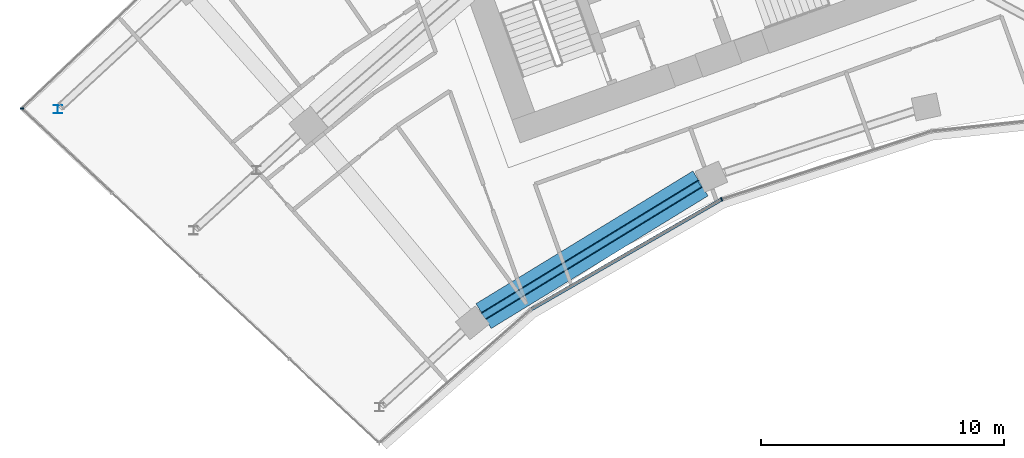
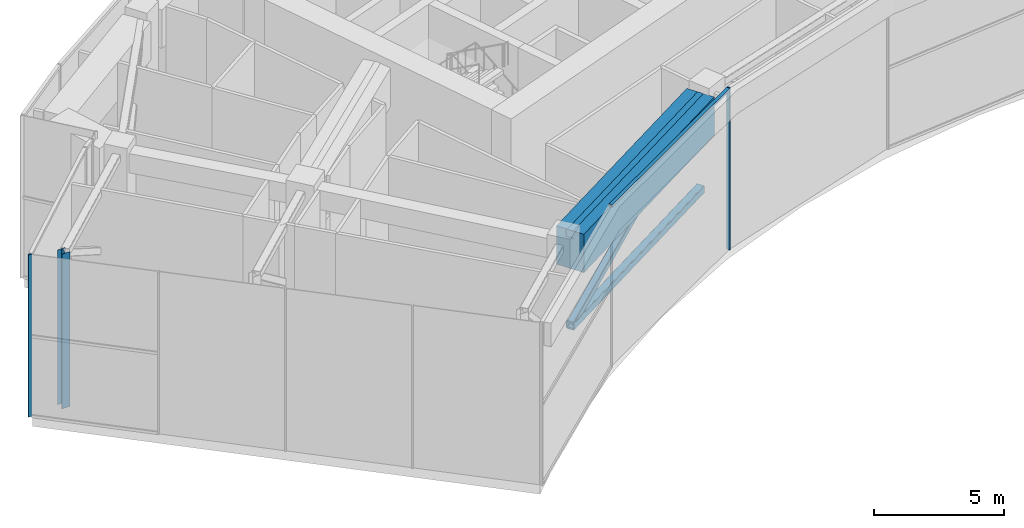
# One storey, part 3 of 26: 7 members, 1 beam, 2 elements without a shape of their own.
"""IFC4 building model written with IfcOpenShell, lengths in metres."""

import ifcopenshell
import ifcopenshell.guid

model = None  # the IFC model being written
_history = None  # IfcOwnerHistory: only IFC2X3 demands one
_inside = {}  # id of a spatial element -> (the spatial element, [elements in it])
_under = {}  # id of a project, library or spatial element -> (it, [spatial elements below it])
_declared = {}  # id of a project -> (the project, [libraries it declares])
_typed = {}  # id of a type object -> (the type object, [elements of that type])
_made_of = {}  # id of a material, layer set ... -> (it, [elements and type objects made of it])


def new_model(schema):
    """Start an empty IFC model of exactly this schema.

    Asked for "IFC4X3", IfcOpenShell would pick the latest addendum, in which some entities
    have other attributes; the version numbers below select the first issue.
    IFC2X3 requires an IfcOwnerHistory on every rooted entity: one is made here for all.
    """
    global model, _history
    if schema == "IFC4X3":
        model = ifcopenshell.file(schema_version=(4, 3, 0, 0))
    else:
        model = ifcopenshell.file(schema=schema)
    _inside.clear()
    _under.clear()
    _declared.clear()
    _typed.clear()
    _made_of.clear()
    _history = None
    if model.schema == "IFC2X3":
        org = make("IfcOrganization", Name="unknown")
        user = make(
            "IfcPersonAndOrganization",
            ThePerson=make("IfcPerson", FamilyName="unknown"),
            TheOrganization=org,
        )
        app = make(
            "IfcApplication",
            ApplicationDeveloper=org,
            Version="unknown",
            ApplicationFullName="unknown",
            ApplicationIdentifier="unknown",
        )
        _history = make(
            "IfcOwnerHistory",
            OwningUser=user,
            OwningApplication=app,
            ChangeAction="ADDED",
            CreationDate=0,
        )
    return model


def make(cls, **values):
    """One entity of the class cls with the attributes given. An attribute that is None is left unset."""
    return model.create_entity(
        cls, **{name: value for name, value in values.items() if value is not None}
    )


def rooted(cls, **values):
    """An entity with a GlobalId (a new one), such as an element, a storey or a relation."""
    return make(cls, GlobalId=ifcopenshell.guid.new(), OwnerHistory=_history, **values)


def si_unit(unit_type, name, prefix=None):
    """IfcSIUnit, for example si_unit("LENGTHUNIT", "METRE", prefix="MILLI")."""
    return make("IfcSIUnit", UnitType=unit_type, Prefix=prefix, Name=name)


def assignment(units):
    """IfcUnitAssignment: the units of a project."""
    return None if units is None else make("IfcUnitAssignment", Units=units)


def point(xyz):
    """IfcCartesianPoint."""
    return None if xyz is None else make("IfcCartesianPoint", Coordinates=xyz)


def direction(xyz):
    """IfcDirection."""
    return None if xyz is None else make("IfcDirection", DirectionRatios=xyz)


def frame(location, z_axis=None, x_axis=None):
    """IfcAxis2Placement3D, a coordinate frame: its origin and axes. An axis left out is left unset."""
    return make(
        "IfcAxis2Placement3D",
        Location=point(location),
        Axis=direction(z_axis),
        RefDirection=direction(x_axis),
    )


def frame_2d(location, x_axis=None):
    """IfcAxis2Placement2D, a coordinate frame in the plane: its origin and x axis."""
    return make(
        "IfcAxis2Placement2D", Location=point(location), RefDirection=direction(x_axis)
    )


def origin():
    """The frame at (0, 0, 0) with its axes left unset."""
    return frame((0.0, 0.0, 0.0))


def origin_2d():
    """The frame at (0, 0) in the plane with its x axis left unset."""
    return frame_2d((0.0, 0.0))


def place(relative_to, where):
    """IfcLocalPlacement: puts the frame where relative to a parent placement (None: the world)."""
    return make(
        "IfcLocalPlacement", PlacementRelTo=relative_to, RelativePlacement=where
    )


def context(
    kind, dimensions, precision=None, world=None, true_north=None, identifier=None
):
    """IfcGeometricRepresentationContext, for example the 3D "Model" context."""
    return make(
        "IfcGeometricRepresentationContext",
        ContextIdentifier=identifier,
        ContextType=kind,
        CoordinateSpaceDimension=dimensions,
        Precision=precision,
        WorldCoordinateSystem=world,
        TrueNorth=true_north,
    )


def subcontext(parent, identifier, kind, view, scale=None):
    """IfcGeometricRepresentationSubContext, for example "Body" below "Model"."""
    return make(
        "IfcGeometricRepresentationSubContext",
        ContextIdentifier=identifier,
        ContextType=kind,
        ParentContext=parent,
        TargetScale=scale,
        TargetView=view,
    )


def project(units=None, contexts=None):
    """IfcProject with its units and contexts."""
    return rooted(
        "IfcProject",
        Name="project",
        RepresentationContexts=contexts,
        UnitsInContext=assignment(units),
    )


def spatial(cls, under=None, at=None, **own):
    """A site, building, storey or space (cls), placed at a placement, below another one or the project."""
    s = rooted(cls, ObjectPlacement=at, **own)
    if under is not None:
        _under.setdefault(under.id(), (under, []))[1].append(s)
    return s


def profile(cls, at=None, kind="AREA", **sizes):
    """A parametric profile (cls). Its sizes go by their IFC names, for example OverallWidth=200.0."""
    return make(cls, ProfileType=kind, Position=at, **sizes)


def rectangle(**sizes):
    """IfcRectangleProfileDef."""
    return profile("IfcRectangleProfileDef", **sizes)


def hollow_rectangle(**sizes):
    """IfcRectangleHollowProfileDef."""
    return profile("IfcRectangleHollowProfileDef", **sizes)


def i_section(**sizes):
    """IfcIShapeProfileDef."""
    return profile("IfcIShapeProfileDef", **sizes)


def extrude(swept, where, along, depth):
    """IfcExtrudedAreaSolid: the profile swept, set in the frame where, extruded along a direction by depth."""
    return make(
        "IfcExtrudedAreaSolid",
        SweptArea=swept,
        Position=where,
        ExtrudedDirection=direction(along),
        Depth=depth,
    )


def shape(context_of_items, identifier, shape_type, items):
    """IfcShapeRepresentation: the items that make up one representation, for example the "Body"."""
    return make(
        "IfcShapeRepresentation",
        ContextOfItems=context_of_items,
        RepresentationIdentifier=identifier,
        RepresentationType=shape_type,
        Items=items,
    )


def material(Name=None, Category=None):
    """IfcMaterial."""
    return make("IfcMaterial", Name=Name, Category=Category)


def layer(
    of_material, thickness, ventilated=None, Name=None, Category=None, Priority=None
):
    """IfcMaterialLayer: one layer of a wall or slab, of a material (None: an air gap)."""
    return make(
        "IfcMaterialLayer",
        Material=of_material,
        LayerThickness=thickness,
        IsVentilated=ventilated,
        Name=Name,
        Category=Category,
        Priority=Priority,
    )


def layer_set(layers, Name=None):
    """IfcMaterialLayerSet."""
    return make("IfcMaterialLayerSet", MaterialLayers=layers, LayerSetName=Name)


def material_profile(
    of_material, cross_section, Name=None, Category=None, Priority=None
):
    """IfcMaterialProfile: a cross section and its material."""
    return make(
        "IfcMaterialProfile",
        Name=Name,
        Material=of_material,
        Profile=cross_section,
        Priority=Priority,
        Category=Category,
    )


def profile_set(profiles, Name=None, composite=None):
    """IfcMaterialProfileSet."""
    return make(
        "IfcMaterialProfileSet",
        Name=Name,
        MaterialProfiles=profiles,
        CompositeProfile=composite,
    )


def made_of(thing, what):
    """Note that an element or type object is made of a material, layer set ...; save() writes the relation."""
    if what is not None:
        _made_of.setdefault(what.id(), (what, []))[1].append(thing)
    return thing


def type_object(cls, material=None, **own):
    """A type object (cls), such as IfcWallType, which elements share."""
    return made_of(rooted(cls, **own), material)


def element(
    cls,
    number,
    at=None,
    inside=None,
    cuts=None,
    type_object=None,
    material=None,
    context=None,
    identifier="Body",
    shape_type=None,
    held_by="IfcProductDefinitionShape",
    body=None,
    shapes=None,
    **own,
):
    """One element of the class cls, such as IfcWall. Its Tag is "e" and its number.

    at: its placement. inside: the storey or other place that contains it. cuts: it is an
    opening in that element (IfcRelVoidsElement). A single representation is given by context,
    identifier, shape_type and body (its items); several are given by shapes. held_by: the class
    of the entity that holds the representations. save() writes the other relations.
    """
    e = rooted(cls, Tag="e%d" % number, ObjectPlacement=at, **own)
    if body is not None:
        shapes = [shape(context, identifier, shape_type, body)]
    if shapes is not None:
        e.Representation = make(held_by, Representations=shapes)
    if inside is not None:
        _inside.setdefault(inside.id(), (inside, []))[1].append(e)
    if cuts is not None:
        rooted(
            "IfcRelVoidsElement", RelatingBuildingElement=cuts, RelatedOpeningElement=e
        )
    if type_object is not None:
        _typed.setdefault(type_object.id(), (type_object, []))[1].append(e)
    return made_of(e, material)


def aggregate(whole, parts):
    """IfcRelAggregates: a whole, such as a stair, and the parts it consists of."""
    return rooted("IfcRelAggregates", RelatingObject=whole, RelatedObjects=parts)


def save(model, path):
    """Write the relations noted so far, then the file.

    IfcRelAggregates (storeys below a building ...), IfcRelContainedInSpatialStructure (elements
    in a storey), IfcRelDefinesByType, IfcRelAssociatesMaterial and IfcRelDeclares: one each for
    every whole, place, type object, material and project.
    """
    for whole, parts in _under.values():
        aggregate(whole, parts)
    for where, things in _inside.values():
        rooted(
            "IfcRelContainedInSpatialStructure",
            RelatedElements=things,
            RelatingStructure=where,
        )
    for kind, things in _typed.values():
        rooted("IfcRelDefinesByType", RelatedObjects=things, RelatingType=kind)
    for what, things in _made_of.values():
        rooted("IfcRelAssociatesMaterial", RelatedObjects=things, RelatingMaterial=what)
    for by, libraries in _declared.values():
        rooted("IfcRelDeclares", RelatingContext=by, RelatedDefinitions=libraries)
    model.write(path)


model = new_model("IFC4")

# Units and contexts
model_context = context("Model", 3, precision=1e-05, world=origin(), true_north=direction((0.0, 1.0)))
body_context = subcontext(model_context, "Body", "Model", "MODEL_VIEW")
ifc_project = project(units=[si_unit("LENGTHUNIT", "METRE"), si_unit("AREAUNIT", "SQUARE_METRE"), si_unit("VOLUMEUNIT", "CUBIC_METRE"), si_unit("PLANEANGLEUNIT", "RADIAN"), si_unit("MASSUNIT", "GRAM", prefix="KILO")], contexts=[model_context])

# Site, building, storey
site_placement = place(None, origin())
site = spatial("IfcSite", under=ifc_project, at=site_placement, CompositionType="ELEMENT")
building_placement = place(site_placement, origin())
building = spatial("IfcBuilding", under=site, at=building_placement, Name="Stone Belt Terrace Tower", CompositionType="ELEMENT")
storey_placement = place(building_placement, frame((0.0, 0.0, 250.39990234375)))
storey = spatial("IfcBuildingStorey", under=building, at=storey_placement, Name="L61", CompositionType="ELEMENT", Elevation=250.39990234375)

# Curtain wall, members
ifc_material_1 = material(Name="Aluminium 6063-T6 anodised frame", Category="aluminium")
ifc_layer_1 = layer(ifc_material_1, 0.14990234375)
ifc_layer_set_1 = layer_set([ifc_layer_1], Name="CW-B unitised concave-face curtain wall")
curtain_wall_type_1 = type_object("IfcCurtainWallType", Name="CW-B unitised concave-face curtain wall", PredefinedType="NOTDEFINED", material=ifc_layer_set_1)
curtain_wall_1_placement = place(storey_placement, origin())
curtain_wall_1 = element("IfcCurtainWall", 1, at=curtain_wall_1_placement, inside=storey, type_object=curtain_wall_type_1, Name="CW-B concave face L61", PredefinedType="NOTDEFINED")
ifc_material_profile_1 = material_profile(ifc_material_1, rectangle(XDim=0.14990234375, YDim=0.050048828125, at=origin_2d()), Name="Aluminium 6063-T6 50x150")
ifc_profile_set_1 = profile_set([ifc_material_profile_1], Name="Aluminium 6063-T6 anodised frame")
member_type_1 = type_object("IfcMemberType", Name="CW-B mullion 50 x 150", PredefinedType="MULLION", material=ifc_profile_set_1)
member_1_placement = place(storey_placement, frame((-17.662353515625, 39.67041015625, 0.0), z_axis=(0.0, 0.0, 1.0), x_axis=(-0.406736643076, 0.913545457643, 0.0)))
member_1 = element("IfcMember", 2, at=member_1_placement, type_object=member_type_1, Name="CW-B mullion 3", PredefinedType="MULLION", context=body_context, shape_type="SweptSolid", body=[
    extrude(rectangle(XDim=0.14990234375, YDim=0.050048828125, at=origin_2d()), origin(), (0.0, 0.0, 1.0), 7.60009765625),
])
ifc_material_profile_2 = material_profile(ifc_material_1, rectangle(XDim=0.14990234375, YDim=0.1201171875, at=origin_2d()), Name="Aluminium 6063-T6 150x120")
ifc_profile_set_2 = profile_set([ifc_material_profile_2], Name="Aluminium 6063-T6 anodised frame")
member_type_2 = type_object("IfcMemberType", Name="CW-B transom 120 x 150", PredefinedType="USERDEFINED", material=ifc_profile_set_2)
member_2_placement = place(storey_placement, frame((-25.49658203125, 35.147216796875, 7.5400390625), z_axis=(0.866020948727, 0.500007716307, 0.0), x_axis=(-0.500007716307, 0.866020948727, 0.0)))
member_2 = element("IfcMember", 3, at=member_2_placement, type_object=member_type_2, Name="CW-B transom 2.1", ObjectType="TRANSOM", PredefinedType="USERDEFINED", context=body_context, shape_type="SweptSolid", body=[
    extrude(rectangle(XDim=0.14990234375, YDim=0.1201171875, at=origin_2d()), origin(), (0.0, 0.0, 1.0), 9.013427734375),
])
aggregate(curtain_wall_1, [member_1, member_2])

# Curtain wall, member
ifc_layer_2 = layer(ifc_material_1, 0.14990234375)
ifc_layer_set_2 = layer_set([ifc_layer_2], Name="CW-C stick curtain wall, horn ends and notches")
curtain_wall_type_2 = type_object("IfcCurtainWallType", Name="CW-C stick curtain wall, horn ends and notches", PredefinedType="NOTDEFINED", material=ifc_layer_set_2)
curtain_wall_2_placement = place(storey_placement, origin())
curtain_wall_2 = element("IfcCurtainWall", 4, at=curtain_wall_2_placement, inside=storey, type_object=curtain_wall_type_2, Name="CW-C end face L61", PredefinedType="NOTDEFINED")
ifc_material_profile_3 = material_profile(ifc_material_1, rectangle(XDim=0.14990234375, YDim=0.06005859375, at=origin_2d()), Name="Aluminium 6063-T6 60x150")
ifc_profile_set_3 = profile_set([ifc_material_profile_3], Name="Aluminium 6063-T6 anodised frame")
member_type_3 = type_object("IfcMemberType", Name="CW-C mullion 60 x 150", PredefinedType="MULLION", material=ifc_profile_set_3)
member_3_placement = place(storey_placement, frame((-46.458251953125, 43.405029296875, 0.0), z_axis=(0.0, 0.0, 1.0), x_axis=(0.999993181822, 0.0036927373, 0.0)))
member_3 = element("IfcMember", 5, at=member_3_placement, type_object=member_type_3, Name="CW-C mullion 1", PredefinedType="MULLION", context=body_context, shape_type="SweptSolid", body=[
    extrude(rectangle(XDim=0.14990234375, YDim=0.06005859375, at=origin_2d()), origin(), (0.0, 0.0, 1.0), 7.60009765625),
])
aggregate(curtain_wall_2, [member_3])

# Members
ifc_material_2 = material(Name="Structural steel C345", Category="steel")
ifc_material_profile_4 = material_profile(ifc_material_2, hollow_rectangle(XDim=0.35009765625, YDim=0.35009765625, WallThickness=0.01611328125, InnerFilletRadius=0.031982421875, OuterFilletRadius=0.048095703125, at=origin_2d()), Name="SHS 350x350x16")
ifc_profile_set_4 = profile_set([ifc_material_profile_4], Name="Structural steel C345")
member_type_4 = type_object("IfcMemberType", Name="Outrigger chord SHS 350x350x16", PredefinedType="CHORD", material=ifc_profile_set_4)
for number, where, z_axis, x_axis, name in (
    (6, (-27.455810546875, 34.8671875, 7.0751953125), (0.853112225001, 0.521727449493, 0.0), (-0.521727449493, 0.853112225001, 0.0), "Outrigger T4 Pw top chord 2"),
    (7, (-27.455810546875, 34.8671875, 2.775146484375), (0.853112225001, 0.521727449493, 0.0), (-0.521727449493, 0.853112225001, 0.0), "Outrigger T4 Pw bot chord 2"),
):
    element("IfcMember", number, at=place(storey_placement, frame(where, z_axis=z_axis, x_axis=x_axis)), inside=storey, type_object=member_type_4, Name=name, PredefinedType="CHORD", context=body_context, shape_type="SweptSolid", body=[
        extrude(hollow_rectangle(XDim=0.35009765625, YDim=0.35009765625, WallThickness=0.01611328125, InnerFilletRadius=0.031982421875, OuterFilletRadius=0.048095703125, at=origin_2d()), origin(), (0.0, 0.0, 1.0), 10.4638671875),
    ])
ifc_material_profile_5 = material_profile(ifc_material_2, hollow_rectangle(XDim=0.300048828125, YDim=0.300048828125, WallThickness=0.011962890625, InnerFilletRadius=0.02392578125, OuterFilletRadius=0.035888671875, at=origin_2d()), Name="SHS 300x300x12")
ifc_profile_set_5 = profile_set([ifc_material_profile_5], Name="Structural steel C345")
member_type_5 = type_object("IfcMemberType", Name="Outrigger diagonal SHS 300x300x12", PredefinedType="BRACE", material=ifc_profile_set_5)
member_4_placement = place(storey_placement, frame((-27.455810546875, 34.8671875, 2.775146484375), z_axis=(0.789081169789, 0.482568757183, 0.380103015083), x_axis=(-0.521727449493, 0.853112225001, 0.0)))
element("IfcMember", 8, at=member_4_placement, inside=storey, type_object=member_type_5, Name="Outrigger T4 Pw diagonal 2", PredefinedType="BRACE", context=body_context, shape_type="SweptSolid", body=[
    extrude(hollow_rectangle(XDim=0.300048828125, YDim=0.300048828125, WallThickness=0.011962890625, InnerFilletRadius=0.02392578125, OuterFilletRadius=0.035888671875, at=origin_2d()), origin(), (0.0, 0.0, 1.0), 11.312744140625),
])
ifc_material_profile_6 = material_profile(ifc_material_2, i_section(OverallWidth=0.347900390625, OverallDepth=0.342041015625, WebThickness=0.010009765625, FlangeThickness=0.014892578125, at=origin_2d()), Name="I 35K1")
ifc_profile_set_6 = profile_set([ifc_material_profile_6], Name="Structural steel C345")
member_type_6 = type_object("IfcMemberType", Name="Outrigger post I 35K1", PredefinedType="POST", material=ifc_profile_set_6)
member_5_placement = place(storey_placement, frame((-44.97705078125, 43.381103515625, 0.0), z_axis=(0.0, 0.0, 1.0), x_axis=(1.0, 0.0, 0.0)))
element("IfcMember", 9, at=member_5_placement, inside=storey, type_object=member_type_6, Name="Outrigger T4 Rw tip post", PredefinedType="POST", context=body_context, shape_type="SweptSolid", body=[
    extrude(i_section(OverallWidth=0.347900390625, OverallDepth=0.342041015625, WebThickness=0.010009765625, FlangeThickness=0.014892578125, at=origin_2d()), origin(), (0.0, 0.0, 1.0), 7.25),
])

# Beam
ifc_material_3 = material(Name="Concrete B80", Category="concrete")
ifc_material_profile_7 = material_profile(ifc_material_3, rectangle(XDim=1.199951171875, YDim=1.800048828125, at=origin_2d()), Name="RC 1200x1800")
ifc_profile_set_7 = profile_set([ifc_material_profile_7], Name="Concrete B80")
beam_type = type_object("IfcBeamType", Name="Transfer girder RC 1200x1800 B80", PredefinedType="BEAM", material=ifc_profile_set_7)
beam_placement = place(storey_placement, frame((-27.455810546875, 34.8671875, 6.35009765625), z_axis=(0.853112225001, 0.521727449493, 0.0), x_axis=(-0.521727449493, 0.853112225001, 0.0)))
element("IfcBeam", 10, at=beam_placement, inside=storey, type_object=beam_type, Name="Transfer beam L61 PPA-P18", PredefinedType="BEAM", context=body_context, shape_type="SweptSolid", body=[
    extrude(rectangle(XDim=1.199951171875, YDim=1.800048828125, at=origin_2d()), origin(), (0.0, 0.0, 1.0), 10.4638671875),
])

save(model, "model.ifc")
